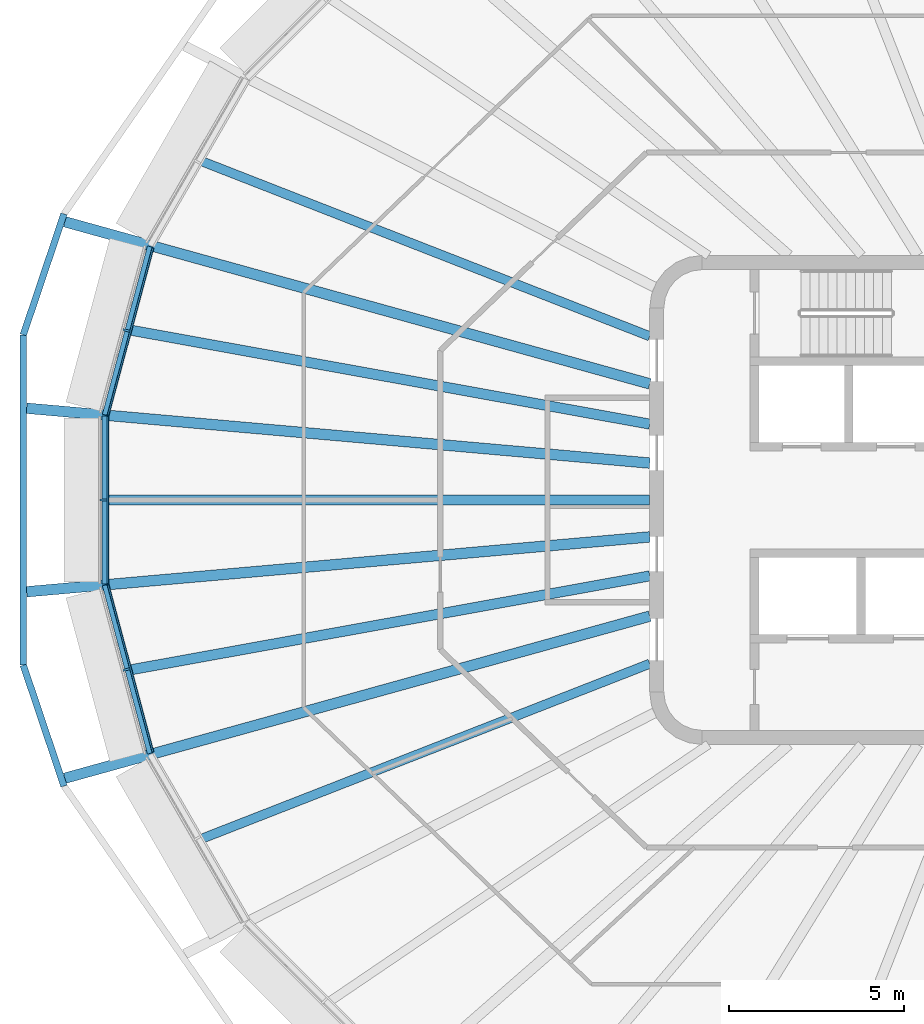
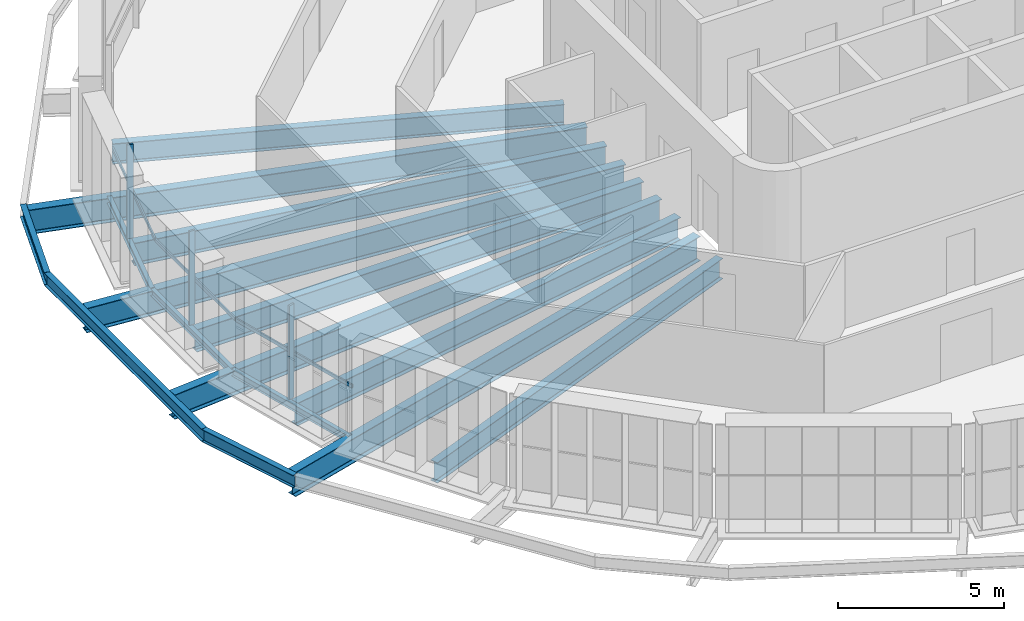
# One storey, part 3 of 18: 15 beams, 6 members, 3 elements without a shape of their own.
"""IFC4 building model written with IfcOpenShell, lengths in metres."""

from ifc_helpers import new_model, si_unit, direction, frame, origin, origin_2d, place, context, subcontext, project, spatial, rectangle, i_section, extrude, material, layer, layer_set, material_profile, profile_set, type_object, element, aggregate, save


model = new_model("IFC4")

# Units and contexts
model_context = context("Model", 3, precision=1e-05, world=origin(), true_north=direction((0.0, 1.0)))
body_context = subcontext(model_context, "Body", "Model", "MODEL_VIEW")
ifc_project = project(units=[si_unit("LENGTHUNIT", "METRE"), si_unit("AREAUNIT", "SQUARE_METRE"), si_unit("VOLUMEUNIT", "CUBIC_METRE"), si_unit("PLANEANGLEUNIT", "RADIAN"), si_unit("MASSUNIT", "GRAM", prefix="KILO")], contexts=[model_context])

# Site, building, storey
site_placement = place(None, origin())
site = spatial("IfcSite", under=ifc_project, at=site_placement, CompositionType="ELEMENT")
building_placement = place(site_placement, origin())
building = spatial("IfcBuilding", under=site, at=building_placement, Name="Sahrelin Media Tower", CompositionType="ELEMENT")
storey_placement = place(building_placement, frame((0.0, 0.0, 295.0)))
storey = spatial("IfcBuildingStorey", under=building, at=storey_placement, Name="L65", CompositionType="ELEMENT", Elevation=295.0)

# Beams
ifc_material_1 = material(Name="Steel S355", Category="steel")
ifc_material_profile_1 = material_profile(ifc_material_1, i_section(OverallWidth=0.14599609375, OverallDepth=0.25146484375, WebThickness=0.006103515625, FlangeThickness=0.008544921875, FilletRadius=0.007568359375, at=origin_2d()), Name="UB 254x146x31")
ifc_profile_set_1 = profile_set([ifc_material_profile_1], Name="Steel S355")
beam_type_1 = type_object("IfcBeamType", Name="Edge beam EB1", PredefinedType="BEAM", material=ifc_profile_set_1)
beam_1_placement = place(storey_placement, frame((-26.3115234375, -7.257568359375, -0.275634765625), z_axis=(-0.258816802919, 0.965926427078, 0.0), x_axis=(-0.965926427078, -0.258816802919, 0.0)))
element("IfcBeam", 1, at=beam_1_placement, inside=storey, type_object=beam_type_1, Name="Edge beam L65-12", PredefinedType="BEAM", context=body_context, shape_type="SweptSolid", body=[
    extrude(i_section(OverallWidth=0.14599609375, OverallDepth=0.25146484375, WebThickness=0.006103515625, FlangeThickness=0.008544921875, FilletRadius=0.007568359375, at=origin_2d()), origin(), (0.0, 0.0, 1.0), 4.989013671875),
])
beam_2_placement = place(storey_placement, frame((-27.606689453125, -2.409912109375, -0.275634765625), z_axis=(0.0, 1.0, 0.0), x_axis=(-1.0, 0.0, 0.0)))
element("IfcBeam", 2, at=beam_2_placement, inside=storey, type_object=beam_type_1, Name="Edge beam L65-13", PredefinedType="BEAM", context=body_context, shape_type="SweptSolid", body=[
    extrude(i_section(OverallWidth=0.14599609375, OverallDepth=0.25146484375, WebThickness=0.006103515625, FlangeThickness=0.008544921875, FilletRadius=0.007568359375, at=origin_2d()), origin(), (0.0, 0.0, 1.0), 4.81982421875),
])
beam_3_placement = place(storey_placement, frame((-27.602783203125, 2.4384765625, -0.275634765625), z_axis=(0.258816802919, 0.965926427078, 0.0), x_axis=(-0.965926427078, 0.258816802919, 0.0)))
element("IfcBeam", 3, at=beam_3_placement, inside=storey, type_object=beam_type_1, Name="Edge beam L65-14", PredefinedType="BEAM", context=body_context, shape_type="SweptSolid", body=[
    extrude(i_section(OverallWidth=0.14599609375, OverallDepth=0.25146484375, WebThickness=0.006103515625, FlangeThickness=0.008544921875, FilletRadius=0.007568359375, at=origin_2d()), origin(), (0.0, 0.0, 1.0), 4.989013671875),
])

# Curtain wall, member
ifc_material_2 = material(Name="Champagne anodised aluminium 6063-T6", Category="aluminium")
ifc_layer = layer(ifc_material_2, 0.14990234375)
ifc_layer_set = layer_set([ifc_layer], Name="Tower ribbon curtain wall")
curtain_wall_type = type_object("IfcCurtainWallType", Name="Tower ribbon curtain wall", PredefinedType="NOTDEFINED", material=ifc_layer_set)
curtain_wall_1_placement = place(storey_placement, frame((-27.10205078125, 4.886962890625, 0.0), z_axis=(0.0, 0.0, 1.0), x_axis=(1.0, 0.0, 0.0)))
curtain_wall_1 = element("IfcCurtainWall", 4, at=curtain_wall_1_placement, inside=storey, type_object=curtain_wall_type, Name="L65:CW:L65-11", PredefinedType="NOTDEFINED")
ifc_material_profile_2 = material_profile(ifc_material_2, rectangle(XDim=0.06005859375, YDim=0.199951171875, at=origin_2d()), Name="Mullion 60x200")
ifc_profile_set_2 = profile_set([ifc_material_profile_2], Name="Champagne anodised aluminium 6063-T6")
member_type_1 = type_object("IfcMemberType", Name="Mullion 60x200 CW1C", PredefinedType="MULLION", material=ifc_profile_set_2)
member_1_placement = place(storey_placement, frame((-26.986083984375, 4.855712890625, 0.0), z_axis=(0.0, 0.0, 1.0), x_axis=(-0.258817359244, -0.965926278012, 0.0)))
member_1 = element("IfcMember", 5, at=member_1_placement, type_object=member_type_1, Name="L65:CWM:L65-11", PredefinedType="MULLION", context=body_context, shape_type="SweptSolid", body=[
    extrude(rectangle(XDim=0.06005859375, YDim=0.199951171875, at=origin_2d()), origin(), (0.0, 0.0, 1.0), 3.448486328125),
])

curtain_wall_2_placement = place(storey_placement, frame((-27.756591796875, 0.0, 0.0), z_axis=(0.0, 0.0, 1.0), x_axis=(1.0, 0.0, 0.0)))
curtain_wall_2 = element("IfcCurtainWall", 6, at=curtain_wall_2_placement, inside=storey, type_object=curtain_wall_type, Name="L65:CW:L65-12", PredefinedType="NOTDEFINED")
member_2_placement = place(storey_placement, frame((-27.63671875, 0.0, 0.0), z_axis=(0.0, 0.0, 1.0), x_axis=(0.0, -1.0, 0.0)))
member_2 = element("IfcMember", 7, at=member_2_placement, type_object=member_type_1, Name="L65:CWM:L65-12", PredefinedType="MULLION", context=body_context, shape_type="SweptSolid", body=[
    extrude(rectangle(XDim=0.06005859375, YDim=0.199951171875, at=origin_2d()), origin(), (0.0, 0.0, 1.0), 3.448486328125),
])

curtain_wall_3_placement = place(storey_placement, frame((-27.10205078125, -4.88671875, 0.0), z_axis=(0.0, 0.0, 1.0), x_axis=(1.0, 0.0, 0.0)))
curtain_wall_3 = element("IfcCurtainWall", 8, at=curtain_wall_3_placement, inside=storey, type_object=curtain_wall_type, Name="L65:CW:L65-13", PredefinedType="NOTDEFINED")
member_3_placement = place(storey_placement, frame((-26.986083984375, -4.855712890625, 0.0), z_axis=(0.0, 0.0, 1.0), x_axis=(0.258817359244, -0.965926278012, 0.0)))
member_3 = element("IfcMember", 9, at=member_3_placement, type_object=member_type_1, Name="L65:CWM:L65-13", PredefinedType="MULLION", context=body_context, shape_type="SweptSolid", body=[
    extrude(rectangle(XDim=0.06005859375, YDim=0.199951171875, at=origin_2d()), origin(), (0.0, 0.0, 1.0), 3.448486328125),
])

# Beams
ifc_material_profile_3 = material_profile(ifc_material_1, i_section(OverallWidth=0.30322265625, OverallDepth=0.903076171875, WebThickness=0.01513671875, FlangeThickness=0.020263671875, FilletRadius=0.01904296875, at=origin_2d()), Name="UB 914x305x201")
ifc_profile_set_3 = profile_set([ifc_material_profile_3], Name="Steel S355")
beam_type_2 = type_object("IfcBeamType", Name="Radial primary beam PB11", PredefinedType="BEAM", material=ifc_profile_set_3)
beam_4_placement = place(storey_placement, frame((-12.0, 3.32568359375, -0.6015625), z_axis=(-0.963677748892, 0.267067774713, 0.0), x_axis=(-0.267067774713, -0.963677748892, 0.0)))
element("IfcBeam", 10, at=beam_4_placement, inside=storey, type_object=beam_type_2, Name="Radial beam L65-11", PredefinedType="BEAM", context=body_context, shape_type="SweptSolid", body=[
    extrude(i_section(OverallWidth=0.30322265625, OverallDepth=0.903076171875, WebThickness=0.01513671875, FlangeThickness=0.020263671875, FilletRadius=0.01904296875, at=origin_2d()), origin(), (0.0, 0.0, 1.0), 17.3779296875),
])
for number, where, z_axis, x_axis, name in (
    (11, (-12.0, 1.056640625, -0.6015625), (-0.996145419637, 0.087717175831, 0.0), (-0.087717175831, -0.996145419637, 0.0), "Radial beam L65-12"),
    (12, (-12.0, -1.056640625, -0.6015625), (-0.996145419637, -0.087717175831, 0.0), (0.087717175831, -0.996145419637, 0.0), "Radial beam L65-13"),
):
    element("IfcBeam", number, at=place(storey_placement, frame(where, z_axis=z_axis, x_axis=x_axis)), inside=storey, type_object=beam_type_2, Name=name, PredefinedType="BEAM", context=body_context, shape_type="SweptSolid", body=[
        extrude(i_section(OverallWidth=0.30322265625, OverallDepth=0.903076171875, WebThickness=0.01513671875, FlangeThickness=0.020263671875, FilletRadius=0.01904296875, at=origin_2d()), origin(), (0.0, 0.0, 1.0), 17.910400390625),
    ])
beam_5_placement = place(storey_placement, frame((-12.0, -3.32568359375, -0.6015625), z_axis=(-0.963677748892, -0.267067774713, 0.0), x_axis=(0.267067774713, -0.963677748892, 0.0)))
element("IfcBeam", 13, at=beam_5_placement, inside=storey, type_object=beam_type_2, Name="Radial beam L65-14", PredefinedType="BEAM", context=body_context, shape_type="SweptSolid", body=[
    extrude(i_section(OverallWidth=0.30322265625, OverallDepth=0.903076171875, WebThickness=0.01513671875, FlangeThickness=0.020263671875, FilletRadius=0.01904296875, at=origin_2d()), origin(), (0.0, 0.0, 1.0), 17.3779296875),
])
ifc_material_profile_4 = material_profile(ifc_material_1, i_section(OverallWidth=0.291748046875, OverallDepth=0.8349609375, WebThickness=0.013916015625, FlangeThickness=0.018798828125, FilletRadius=0.017822265625, at=origin_2d()), Name="UB 838x292x176")
ifc_profile_set_4 = profile_set([ifc_material_profile_4], Name="Steel S355")
beam_type_3 = type_object("IfcBeamType", Name="Radial secondary beam SB10", PredefinedType="BEAM", material=ifc_profile_set_4)
beam_6_placement = place(storey_placement, frame((-12.0, 2.17236328125, -0.5673828125), z_axis=(-0.984006815863, 0.178130812423, 0.0), x_axis=(-0.178130812423, -0.984006815863, 0.0)))
element("IfcBeam", 14, at=beam_6_placement, inside=storey, type_object=beam_type_3, Name="Secondary beam L65-11", PredefinedType="BEAM", context=body_context, shape_type="SweptSolid", body=[
    extrude(i_section(OverallWidth=0.291748046875, OverallDepth=0.8349609375, WebThickness=0.013916015625, FlangeThickness=0.018798828125, FilletRadius=0.017822265625, at=origin_2d()), origin(), (0.0, 0.0, 1.0), 15.11865234375),
])
beam_7_placement = place(storey_placement, frame((-12.0, 0.0, -0.5673828125), z_axis=(-1.0, 0.0, 0.0), x_axis=(0.0, -1.0, 0.0)))
element("IfcBeam", 15, at=beam_7_placement, inside=storey, type_object=beam_type_3, Name="Secondary beam L65-12", PredefinedType="BEAM", context=body_context, shape_type="SweptSolid", body=[
    extrude(i_section(OverallWidth=0.291748046875, OverallDepth=0.8349609375, WebThickness=0.013916015625, FlangeThickness=0.018798828125, FilletRadius=0.017822265625, at=origin_2d()), origin(), (0.0, 0.0, 1.0), 15.53369140625),
])
beam_8_placement = place(storey_placement, frame((-12.0, -2.17236328125, -0.5673828125), z_axis=(-0.984006815863, -0.178130812423, 0.0), x_axis=(0.178130812423, -0.984006815863, 0.0)))
element("IfcBeam", 16, at=beam_8_placement, inside=storey, type_object=beam_type_3, Name="Secondary beam L65-13", PredefinedType="BEAM", context=body_context, shape_type="SweptSolid", body=[
    extrude(i_section(OverallWidth=0.291748046875, OverallDepth=0.8349609375, WebThickness=0.013916015625, FlangeThickness=0.018798828125, FilletRadius=0.017822265625, at=origin_2d()), origin(), (0.0, 0.0, 1.0), 15.11865234375),
])
ifc_material_profile_5 = material_profile(ifc_material_1, i_section(OverallWidth=0.26513671875, OverallDepth=0.75390625, WebThickness=0.0126953125, FlangeThickness=0.017578125, FilletRadius=0.0166015625, at=origin_2d()), Name="UB 762x267x147")
ifc_profile_set_5 = profile_set([ifc_material_profile_5], Name="Steel S355")
beam_type_4 = type_object("IfcBeamType", Name="Radial secondary beam SB9", PredefinedType="BEAM", material=ifc_profile_set_5)
for number, where, z_axis, x_axis, name in (
    (17, (-12.0, 4.68798828125, -0.527099609375), (-0.931449737277, 0.363870013777, 0.0), (-0.363870013777, -0.931449737277, 0.0), "Secondary beam L65-10"),
    (18, (-12.0, -4.68798828125, -0.527099609375), (-0.931449737277, -0.363870013777, 0.0), (0.363870013777, -0.931449737277, 0.0), "Secondary beam L65-14"),
):
    element("IfcBeam", number, at=place(storey_placement, frame(where, z_axis=z_axis, x_axis=x_axis)), inside=storey, type_object=beam_type_4, Name=name, PredefinedType="BEAM", context=body_context, shape_type="SweptSolid", body=[
        extrude(i_section(OverallWidth=0.26513671875, OverallDepth=0.75390625, WebThickness=0.0126953125, FlangeThickness=0.017578125, FilletRadius=0.0166015625, at=origin_2d()), origin(), (0.0, 0.0, 1.0), 13.75732421875),
    ])
ifc_material_profile_6 = material_profile(ifc_material_1, i_section(OverallWidth=0.1904296875, OverallDepth=0.45703125, WebThickness=0.009033203125, FlangeThickness=0.014404296875, FilletRadius=0.01025390625, at=origin_2d()), Name="UB 457x191x74")
ifc_profile_set_6 = profile_set([ifc_material_profile_6], Name="Steel S355")
beam_type_5 = type_object("IfcBeamType", Name="Tie chord TC5", PredefinedType="BEAM", material=ifc_profile_set_6)
beam_9_placement = place(storey_placement, frame((-28.772216796875, 8.1904296875, -0.37841796875), z_axis=(-0.318894557545, -0.94779019892, 0.0), x_axis=(0.94779019892, -0.318894557545, 0.0)))
element("IfcBeam", 19, at=beam_9_placement, inside=storey, type_object=beam_type_5, Name="Tie chord L65-11", PredefinedType="BEAM", context=body_context, shape_type="SweptSolid", body=[
    extrude(i_section(OverallWidth=0.1904296875, OverallDepth=0.45703125, WebThickness=0.009033203125, FlangeThickness=0.014404296875, FilletRadius=0.01025390625, at=origin_2d()), origin(), (0.0, 0.0, 1.0), 3.651123046875),
])
beam_10_placement = place(storey_placement, frame((-29.9365234375, 4.72998046875, -0.37841796875), z_axis=(0.0, -1.0, 0.0), x_axis=(1.0, 0.0, 0.0)))
element("IfcBeam", 20, at=beam_10_placement, inside=storey, type_object=beam_type_5, Name="Tie chord L65-12", PredefinedType="BEAM", context=body_context, shape_type="SweptSolid", body=[
    extrude(i_section(OverallWidth=0.1904296875, OverallDepth=0.45703125, WebThickness=0.009033203125, FlangeThickness=0.014404296875, FilletRadius=0.01025390625, at=origin_2d()), origin(), (0.0, 0.0, 1.0), 9.4599609375),
])
beam_11_placement = place(storey_placement, frame((-29.9365234375, -4.72998046875, -0.37841796875), z_axis=(0.318894557545, -0.94779019892, 0.0), x_axis=(0.94779019892, 0.318894557545, 0.0)))
element("IfcBeam", 21, at=beam_11_placement, inside=storey, type_object=beam_type_5, Name="Tie chord L65-13", PredefinedType="BEAM", context=body_context, shape_type="SweptSolid", body=[
    extrude(i_section(OverallWidth=0.1904296875, OverallDepth=0.45703125, WebThickness=0.009033203125, FlangeThickness=0.014404296875, FilletRadius=0.01025390625, at=origin_2d()), origin(), (0.0, 0.0, 1.0), 3.651123046875),
])

# Member
ifc_material_profile_7 = material_profile(ifc_material_2, rectangle(XDim=0.050048828125, YDim=0.1201171875, at=origin_2d()), Name="Transom 50x120")
ifc_profile_set_7 = profile_set([ifc_material_profile_7], Name="Champagne anodised aluminium 6063-T6")
member_type_2 = type_object("IfcMemberType", Name="Transom 50x120 CW1C", PredefinedType="USERDEFINED", material=ifc_profile_set_7)
member_4_placement = place(storey_placement, frame((-26.223876953125, 7.2177734375, 1.60009765625), z_axis=(-0.258839470569, -0.96592035307, 0.0), x_axis=(0.96592035307, -0.258839470569, 0.0)))
member_4 = element("IfcMember", 22, at=member_4_placement, type_object=member_type_2, Name="L65:CWT:L65-11", ObjectType="TRANSOM", PredefinedType="USERDEFINED", context=body_context, shape_type="SweptSolid", body=[
    extrude(rectangle(XDim=0.050048828125, YDim=0.1201171875, at=origin_2d()), origin(), (0.0, 0.0, 1.0), 4.95751953125),
])

aggregate(curtain_wall_1, [member_1, member_4])

member_5_placement = place(storey_placement, frame((-27.51171875, 2.394287109375, 1.60009765625), z_axis=(0.0, -1.0, 0.0), x_axis=(1.0, 0.0, 0.0)))
member_5 = element("IfcMember", 23, at=member_5_placement, type_object=member_type_2, Name="L65:CWT:L65-12", ObjectType="TRANSOM", PredefinedType="USERDEFINED", context=body_context, shape_type="SweptSolid", body=[
    extrude(rectangle(XDim=0.050048828125, YDim=0.1201171875, at=origin_2d()), origin(), (0.0, 0.0, 1.0), 4.78857421875),
])

aggregate(curtain_wall_2, [member_2, member_5])

member_6_placement = place(storey_placement, frame((-27.507080078125, -2.42919921875, 1.60009765625), z_axis=(0.258839470569, -0.96592035307, 0.0), x_axis=(0.96592035307, 0.258839470569, 0.0)))
member_6 = element("IfcMember", 24, at=member_6_placement, type_object=member_type_2, Name="L65:CWT:L65-13", ObjectType="TRANSOM", PredefinedType="USERDEFINED", context=body_context, shape_type="SweptSolid", body=[
    extrude(rectangle(XDim=0.050048828125, YDim=0.1201171875, at=origin_2d()), origin(), (0.0, 0.0, 1.0), 4.95751953125),
])

aggregate(curtain_wall_3, [member_3, member_6])

save(model, "model.ifc")
